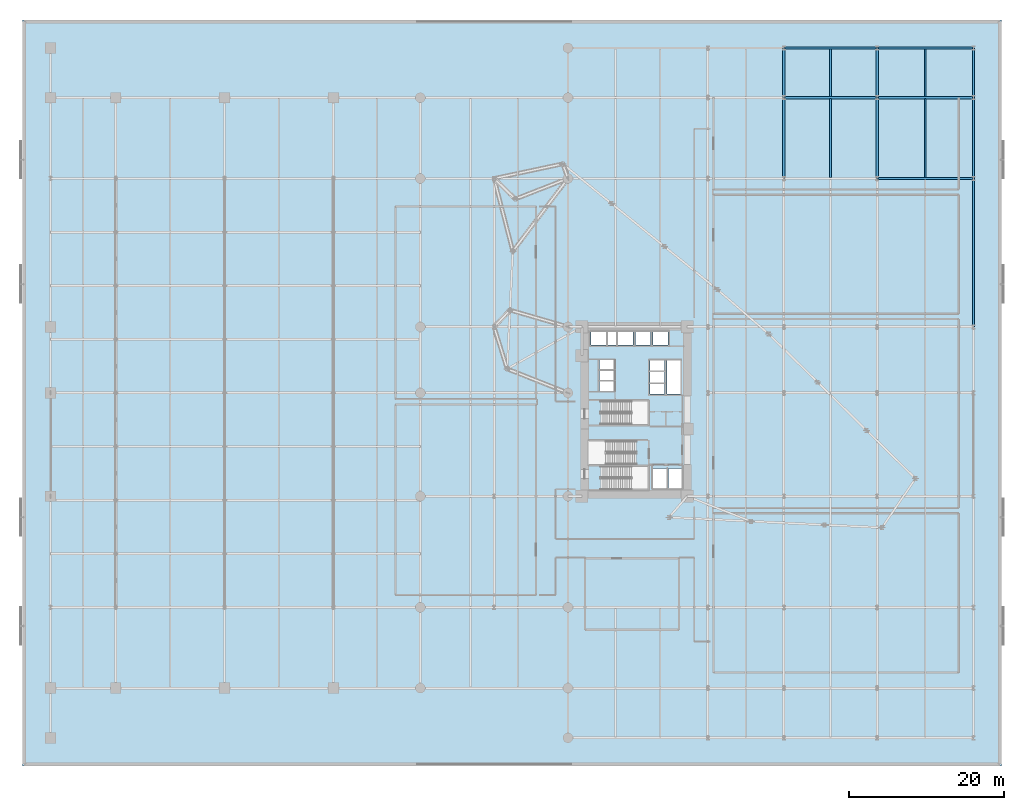
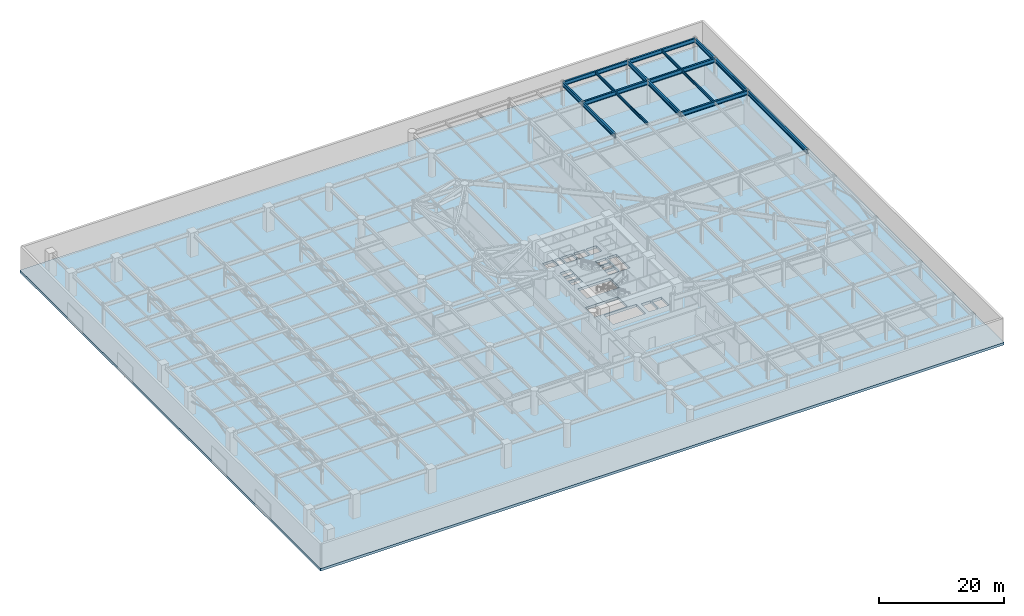
# One storey, part 22 of 40: 16 beams, 1 slab.
"""IFC4 building model written with IfcOpenShell, lengths in metres."""

from ifc_helpers import new_model, si_unit, direction, frame, origin, origin_2d, place, context, subcontext, project, spatial, polyline, i_section, outline, extrude, material, layer, layer_set, material_profile, profile_set, type_object, element, save


model = new_model("IFC4")

# Units and contexts
model_context = context("Model", 3, precision=1e-05, world=origin(), true_north=direction((0.0, 1.0)))
body_context = subcontext(model_context, "Body", "Model", "MODEL_VIEW")
ifc_project = project(units=[si_unit("LENGTHUNIT", "METRE"), si_unit("AREAUNIT", "SQUARE_METRE"), si_unit("VOLUMEUNIT", "CUBIC_METRE"), si_unit("PLANEANGLEUNIT", "RADIAN"), si_unit("MASSUNIT", "GRAM", prefix="KILO")], contexts=[model_context])

# Site, building, storey
site_placement = place(None, origin())
site = spatial("IfcSite", under=ifc_project, at=site_placement, CompositionType="ELEMENT")
building_placement = place(site_placement, origin())
building = spatial("IfcBuilding", under=site, at=building_placement, Name="Narakoshi Arena Tower", CompositionType="ELEMENT")
storey_placement = place(building_placement, frame((0.0, 0.0, 21.60009765625)))
storey = spatial("IfcBuildingStorey", under=building, at=storey_placement, Name="L05", CompositionType="ELEMENT", Elevation=21.60009765625)

# Beams
ifc_material_1 = material(Name="Structural steel S460ML", Category="steel")
ifc_material_profile_1 = material_profile(ifc_material_1, i_section(OverallWidth=0.300048828125, OverallDepth=0.800048828125, WebThickness=0.017578125, FlangeThickness=0.032958984375, FilletRadius=0.030029296875, at=origin_2d()), Name="HE800B")
ifc_profile_set_1 = profile_set([ifc_material_profile_1], Name="Structural steel S460ML")
beam_type_1 = type_object("IfcBeamType", Name="BM-PRI-800", PredefinedType="BEAM", material=ifc_profile_set_1)
beam_1_placement = place(storey_placement, frame((110.0, 75.60009765625, 4.199951171875), z_axis=(1.0, 0.0, 0.0), x_axis=(0.0, 1.0, 0.0)))
element("IfcBeam", 1, at=beam_1_placement, inside=storey, type_object=beam_type_1, Name="L05 Podium Primary X-Girder 052", PredefinedType="BEAM", context=body_context, shape_type="SweptSolid", body=[
    extrude(i_section(OverallWidth=0.300048828125, OverallDepth=0.800048828125, WebThickness=0.017578125, FlangeThickness=0.032958984375, FilletRadius=0.030029296875, at=origin_2d()), origin(), (0.0, 0.0, 1.0), 12.39990234375),
])
beam_2_placement = place(storey_placement, frame((98.0, 86.0, 4.199951171875), z_axis=(1.0, 0.0, 0.0), x_axis=(0.0, 1.0, 0.0)))
element("IfcBeam", 2, at=beam_2_placement, inside=storey, type_object=beam_type_1, Name="L05 Podium Primary X-Girder 060", PredefinedType="BEAM", context=body_context, shape_type="SweptSolid", body=[
    extrude(i_section(OverallWidth=0.300048828125, OverallDepth=0.800048828125, WebThickness=0.017578125, FlangeThickness=0.032958984375, FilletRadius=0.030029296875, at=origin_2d()), origin(), (0.0, 0.0, 1.0), 12.0),
])
beam_3_placement = place(storey_placement, frame((110.0, 86.0, 4.199951171875), z_axis=(1.0, 0.0, 0.0), x_axis=(0.0, 1.0, 0.0)))
element("IfcBeam", 3, at=beam_3_placement, inside=storey, type_object=beam_type_1, Name="L05 Podium Primary X-Girder 061", PredefinedType="BEAM", context=body_context, shape_type="SweptSolid", body=[
    extrude(i_section(OverallWidth=0.300048828125, OverallDepth=0.800048828125, WebThickness=0.017578125, FlangeThickness=0.032958984375, FilletRadius=0.030029296875, at=origin_2d()), origin(), (0.0, 0.0, 1.0), 12.39990234375),
])
beam_4_placement = place(storey_placement, frame((98.0, 92.39990234375, 4.199951171875), z_axis=(1.0, 0.0, 0.0), x_axis=(0.0, 1.0, 0.0)))
element("IfcBeam", 4, at=beam_4_placement, inside=storey, type_object=beam_type_1, Name="L05 Podium Primary X-Girder 064", PredefinedType="BEAM", context=body_context, shape_type="SweptSolid", body=[
    extrude(i_section(OverallWidth=0.300048828125, OverallDepth=0.800048828125, WebThickness=0.017578125, FlangeThickness=0.032958984375, FilletRadius=0.030029296875, at=origin_2d()), origin(), (0.0, 0.0, 1.0), 12.0),
])
beam_5_placement = place(storey_placement, frame((110.0, 92.39990234375, 4.199951171875), z_axis=(1.0, 0.0, 0.0), x_axis=(0.0, 1.0, 0.0)))
element("IfcBeam", 5, at=beam_5_placement, inside=storey, type_object=beam_type_1, Name="L05 Podium Primary X-Girder 065", PredefinedType="BEAM", context=body_context, shape_type="SweptSolid", body=[
    extrude(i_section(OverallWidth=0.300048828125, OverallDepth=0.800048828125, WebThickness=0.017578125, FlangeThickness=0.032958984375, FilletRadius=0.030029296875, at=origin_2d()), origin(), (0.0, 0.0, 1.0), 12.39990234375),
])
beam_6_placement = place(storey_placement, frame((98.0, 75.60009765625, 4.199951171875), z_axis=(0.0, 1.0, 0.0), x_axis=(-1.0, 0.0, 0.0)))
element("IfcBeam", 6, at=beam_6_placement, inside=storey, type_object=beam_type_1, Name="L05 Podium Primary Y-Girder 112", PredefinedType="BEAM", context=body_context, shape_type="SweptSolid", body=[
    extrude(i_section(OverallWidth=0.300048828125, OverallDepth=0.800048828125, WebThickness=0.017578125, FlangeThickness=0.032958984375, FilletRadius=0.030029296875, at=origin_2d()), origin(), (0.0, 0.0, 1.0), 10.39990234375),
])
beam_7_placement = place(storey_placement, frame((98.0, 86.0, 4.199951171875), z_axis=(0.0, 1.0, 0.0), x_axis=(-1.0, 0.0, 0.0)))
element("IfcBeam", 7, at=beam_7_placement, inside=storey, type_object=beam_type_1, Name="L05 Podium Primary Y-Girder 113", PredefinedType="BEAM", context=body_context, shape_type="SweptSolid", body=[
    extrude(i_section(OverallWidth=0.300048828125, OverallDepth=0.800048828125, WebThickness=0.017578125, FlangeThickness=0.032958984375, FilletRadius=0.030029296875, at=origin_2d()), origin(), (0.0, 0.0, 1.0), 6.39990234375),
])
beam_8_placement = place(storey_placement, frame((110.0, 75.60009765625, 4.199951171875), z_axis=(0.0, 1.0, 0.0), x_axis=(-1.0, 0.0, 0.0)))
element("IfcBeam", 8, at=beam_8_placement, inside=storey, type_object=beam_type_1, Name="L05 Podium Primary Y-Girder 120", PredefinedType="BEAM", context=body_context, shape_type="SweptSolid", body=[
    extrude(i_section(OverallWidth=0.300048828125, OverallDepth=0.800048828125, WebThickness=0.017578125, FlangeThickness=0.032958984375, FilletRadius=0.030029296875, at=origin_2d()), origin(), (0.0, 0.0, 1.0), 10.39990234375),
])
beam_9_placement = place(storey_placement, frame((110.0, 86.0, 4.199951171875), z_axis=(0.0, 1.0, 0.0), x_axis=(-1.0, 0.0, 0.0)))
element("IfcBeam", 9, at=beam_9_placement, inside=storey, type_object=beam_type_1, Name="L05 Podium Primary Y-Girder 121", PredefinedType="BEAM", context=body_context, shape_type="SweptSolid", body=[
    extrude(i_section(OverallWidth=0.300048828125, OverallDepth=0.800048828125, WebThickness=0.017578125, FlangeThickness=0.032958984375, FilletRadius=0.030029296875, at=origin_2d()), origin(), (0.0, 0.0, 1.0), 6.39990234375),
])
beam_10_placement = place(storey_placement, frame((122.39990234375, 56.5, 4.199951171875), z_axis=(0.0, 1.0, 0.0), x_axis=(-1.0, 0.0, 0.0)))
element("IfcBeam", 10, at=beam_10_placement, inside=storey, type_object=beam_type_1, Name="L05 Podium Primary Y-Girder 127", PredefinedType="BEAM", context=body_context, shape_type="SweptSolid", body=[
    extrude(i_section(OverallWidth=0.300048828125, OverallDepth=0.800048828125, WebThickness=0.017578125, FlangeThickness=0.032958984375, FilletRadius=0.030029296875, at=origin_2d()), origin(), (0.0, 0.0, 1.0), 19.10009765625),
])
beam_11_placement = place(storey_placement, frame((122.39990234375, 75.60009765625, 4.199951171875), z_axis=(0.0, 1.0, 0.0), x_axis=(-1.0, 0.0, 0.0)))
element("IfcBeam", 11, at=beam_11_placement, inside=storey, type_object=beam_type_1, Name="L05 Podium Primary Y-Girder 128", PredefinedType="BEAM", context=body_context, shape_type="SweptSolid", body=[
    extrude(i_section(OverallWidth=0.300048828125, OverallDepth=0.800048828125, WebThickness=0.017578125, FlangeThickness=0.032958984375, FilletRadius=0.030029296875, at=origin_2d()), origin(), (0.0, 0.0, 1.0), 10.39990234375),
])
beam_12_placement = place(storey_placement, frame((122.39990234375, 86.0, 4.199951171875), z_axis=(0.0, 1.0, 0.0), x_axis=(-1.0, 0.0, 0.0)))
element("IfcBeam", 12, at=beam_12_placement, inside=storey, type_object=beam_type_1, Name="L05 Podium Primary Y-Girder 129", PredefinedType="BEAM", context=body_context, shape_type="SweptSolid", body=[
    extrude(i_section(OverallWidth=0.300048828125, OverallDepth=0.800048828125, WebThickness=0.017578125, FlangeThickness=0.032958984375, FilletRadius=0.030029296875, at=origin_2d()), origin(), (0.0, 0.0, 1.0), 6.39990234375),
])
ifc_material_2 = material(Name="Structural steel S355J2", Category="steel")
ifc_material_profile_2 = material_profile(ifc_material_2, i_section(OverallWidth=0.199951171875, OverallDepth=0.5, WebThickness=0.01025390625, FlangeThickness=0.01611328125, FilletRadius=0.02099609375, at=origin_2d()), Name="IPE500")
ifc_profile_set_2 = profile_set([ifc_material_profile_2], Name="Structural steel S355J2")
beam_type_2 = type_object("IfcBeamType", Name="BM-SEC-500", PredefinedType="JOIST", material=ifc_profile_set_2)
beam_13_placement = place(storey_placement, frame((104.0, 75.735107421875, 4.349853515625), z_axis=(0.0, 1.0, 0.0), x_axis=(-1.0, 0.0, 0.0)))
element("IfcBeam", 13, at=beam_13_placement, inside=storey, type_object=beam_type_2, Name="L05 Podium Composite Floor Joist 045", PredefinedType="JOIST", context=body_context, shape_type="SweptSolid", body=[
    extrude(i_section(OverallWidth=0.199951171875, OverallDepth=0.5, WebThickness=0.01025390625, FlangeThickness=0.01611328125, FilletRadius=0.02099609375, at=origin_2d()), origin(), (0.0, 0.0, 1.0), 10.1298828125),
])
beam_14_placement = place(storey_placement, frame((104.0, 86.135009765625, 4.349853515625), z_axis=(0.0, 1.0, 0.0), x_axis=(-1.0, 0.0, 0.0)))
element("IfcBeam", 14, at=beam_14_placement, inside=storey, type_object=beam_type_2, Name="L05 Podium Composite Floor Joist 046", PredefinedType="JOIST", context=body_context, shape_type="SweptSolid", body=[
    extrude(i_section(OverallWidth=0.199951171875, OverallDepth=0.5, WebThickness=0.01025390625, FlangeThickness=0.01611328125, FilletRadius=0.02099609375, at=origin_2d()), origin(), (0.0, 0.0, 1.0), 6.1298828125),
])
beam_15_placement = place(storey_placement, frame((116.199951171875, 75.735107421875, 4.349853515625), z_axis=(0.0, 1.0, 0.0), x_axis=(-1.0, 0.0, 0.0)))
element("IfcBeam", 15, at=beam_15_placement, inside=storey, type_object=beam_type_2, Name="L05 Podium Composite Floor Joist 053", PredefinedType="JOIST", context=body_context, shape_type="SweptSolid", body=[
    extrude(i_section(OverallWidth=0.199951171875, OverallDepth=0.5, WebThickness=0.01025390625, FlangeThickness=0.01611328125, FilletRadius=0.02099609375, at=origin_2d()), origin(), (0.0, 0.0, 1.0), 10.1298828125),
])
beam_16_placement = place(storey_placement, frame((116.199951171875, 86.135009765625, 4.349853515625), z_axis=(0.0, 1.0, 0.0), x_axis=(-1.0, 0.0, 0.0)))
element("IfcBeam", 16, at=beam_16_placement, inside=storey, type_object=beam_type_2, Name="L05 Podium Composite Floor Joist 054", PredefinedType="JOIST", context=body_context, shape_type="SweptSolid", body=[
    extrude(i_section(OverallWidth=0.199951171875, OverallDepth=0.5, WebThickness=0.01025390625, FlangeThickness=0.01611328125, FilletRadius=0.02099609375, at=origin_2d()), origin(), (0.0, 0.0, 1.0), 6.1298828125),
])

# Slab
ifc_material_3 = material(Name="Concrete C50/60", Category="concrete")
ifc_layer = layer(ifc_material_3, 0.5)
ifc_layer_set = layer_set([ifc_layer], Name="Concrete C50/60")
slab_type = type_object("IfcSlabType", Name="SLB-XFER-500", PredefinedType="FLOOR", material=ifc_layer_set)
slab_placement = place(storey_placement, frame((0.0, 0.0, -0.5)))
element("IfcSlab", 17, at=slab_placement, inside=storey, type_object=slab_type, Name="L05 Structural Floor Slab", PredefinedType="FLOOR", context=body_context, shape_type="SweptSolid", body=[
    extrude(outline(polyline([(0.0, 0.0), (126.0, 0.0), (126.0, 96.0), (0.0, 96.0), (0.0, 0.0)]), holes=[polyline([(74.47998046875, 35.550048828125), (74.47998046875, 38.550048828125), (80.5, 38.550048828125), (80.5, 35.550048828125), (74.47998046875, 35.550048828125)]), polyline([(81.14990234375, 35.75), (81.14990234375, 38.25), (82.89990234375, 38.25), (82.89990234375, 35.75), (81.14990234375, 35.75)]), polyline([(83.14990234375, 35.75), (83.14990234375, 38.25), (84.89990234375, 38.25), (84.89990234375, 35.75), (83.14990234375, 35.75)]), polyline([(72.949951171875, 38.800048828125), (72.949951171875, 41.800048828125), (78.969970703125, 41.800048828125), (78.969970703125, 38.800048828125), (72.949951171875, 38.800048828125)]), polyline([(74.47998046875, 43.949951171875), (74.47998046875, 46.949951171875), (80.5, 46.949951171875), (80.5, 43.949951171875), (74.47998046875, 43.949951171875)]), polyline([(82.949951171875, 47.840087890625), (82.949951171875, 52.199951171875), (84.699951171875, 52.199951171875), (84.699951171875, 47.840087890625), (82.949951171875, 47.840087890625)]), polyline([(80.75, 47.85009765625), (80.75, 49.14990234375), (82.64990234375, 49.14990234375), (82.64990234375, 47.85009765625), (80.75, 47.85009765625)]), polyline([(74.25, 48.25), (74.25, 49.449951171875), (76.14990234375, 49.449951171875), (76.14990234375, 48.25), (74.25, 48.25)]), polyline([(80.75, 49.3701171875), (80.75, 50.669921875), (82.64990234375, 50.669921875), (82.64990234375, 49.3701171875), (80.75, 49.3701171875)]), polyline([(74.25, 49.64990234375), (74.25, 50.85009765625), (76.14990234375, 50.85009765625), (76.14990234375, 49.64990234375), (74.25, 49.64990234375)]), polyline([(80.75, 50.889892578125), (80.75, 52.18994140625), (82.64990234375, 52.18994140625), (82.64990234375, 50.889892578125), (80.75, 50.889892578125)]), polyline([(74.25, 51.050048828125), (74.25, 52.2099609375), (76.14990234375, 52.2099609375), (76.14990234375, 51.050048828125), (74.25, 51.050048828125)]), polyline([(73.14990234375, 54.14990234375), (73.14990234375, 55.85009765625), (75.10009765625, 55.85009765625), (75.10009765625, 54.14990234375), (73.14990234375, 54.14990234375)]), polyline([(75.35009765625, 54.14990234375), (75.35009765625, 55.85009765625), (76.39990234375, 55.85009765625), (76.39990234375, 54.14990234375), (75.35009765625, 54.14990234375)]), polyline([(76.64990234375, 54.14990234375), (76.64990234375, 55.85009765625), (78.60009765625, 55.85009765625), (78.60009765625, 54.14990234375), (76.64990234375, 54.14990234375)]), polyline([(78.89990234375, 55.85009765625), (80.85009765625, 55.85009765625), (80.85009765625, 54.14990234375), (78.89990234375, 54.14990234375), (78.89990234375, 55.85009765625)]), polyline([(81.14990234375, 55.85009765625), (83.10009765625, 55.85009765625), (83.10009765625, 54.14990234375), (81.14990234375, 54.14990234375), (81.14990234375, 55.85009765625)])]), origin(), (0.0, 0.0, 1.0), 0.5),
])

save(model, "model.ifc")
